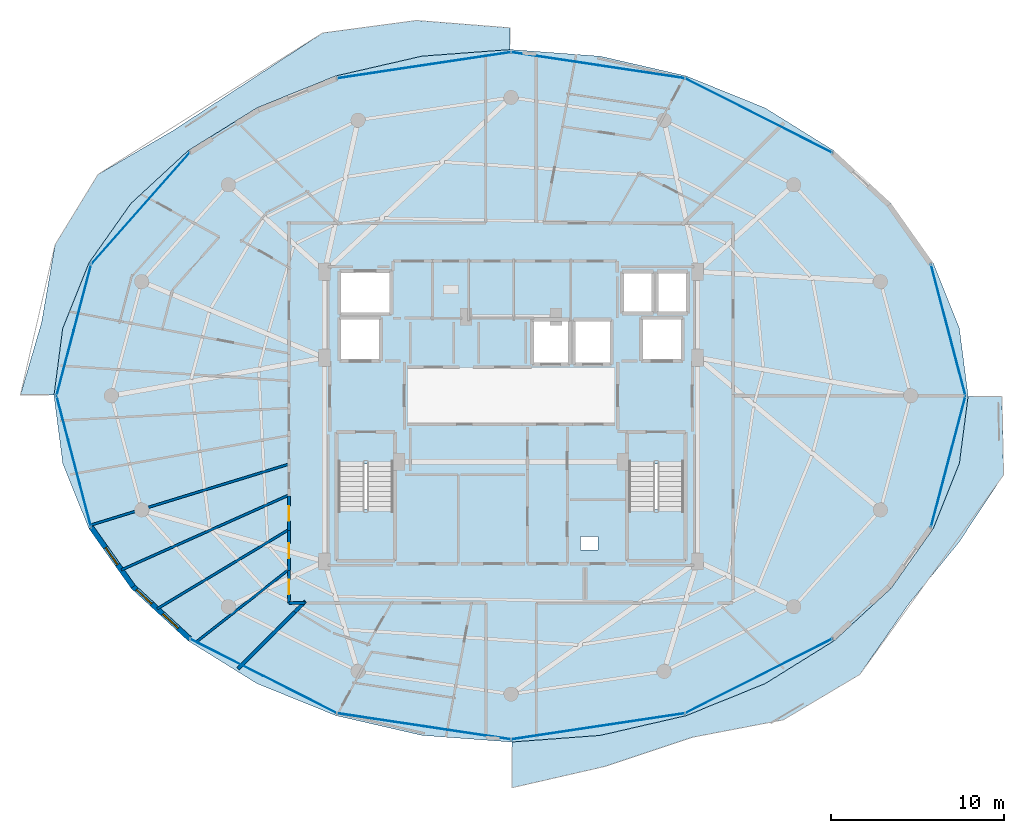
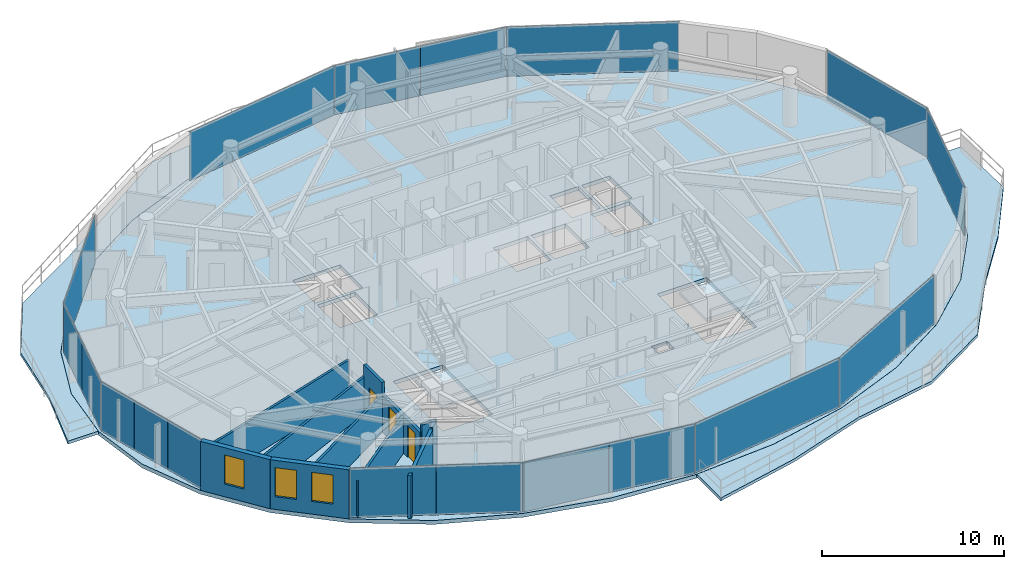
# One storey, part 20 of 29: 18 plates, 12 walls, 5 slabs, 3 doors, 3 windows, 6 openings, 6 elements without a shape of their own.
"""IFC4 building model written with IfcOpenShell, lengths in metres."""

from ifc_helpers import new_model, si_unit, direction, frame, frame_2d, origin, origin_2d, place, context, subcontext, project, spatial, polyline, rectangle, outline, extrude, material, layer, layer_set, type_object, element, fill, aggregate, save


model = new_model("IFC4")

# Units and contexts
model_context = context("Model", 3, precision=1e-05, world=origin(), true_north=direction((0.0, 1.0)))
body_context = subcontext(model_context, "Body", "Model", "MODEL_VIEW")
ifc_project = project(units=[si_unit("LENGTHUNIT", "METRE"), si_unit("AREAUNIT", "SQUARE_METRE"), si_unit("VOLUMEUNIT", "CUBIC_METRE"), si_unit("PLANEANGLEUNIT", "RADIAN"), si_unit("MASSUNIT", "GRAM", prefix="KILO")], contexts=[model_context])

# Site, building, storey
site_placement = place(None, origin())
site = spatial("IfcSite", under=ifc_project, at=site_placement, CompositionType="ELEMENT")
building_placement = place(site_placement, origin())
building = spatial("IfcBuilding", under=site, at=building_placement, Name="Vorneva Point Tower", CompositionType="ELEMENT")
storey_placement = place(building_placement, frame((0.0, 0.0, 273.300048828125)))
storey = spatial("IfcBuildingStorey", under=building, at=storey_placement, Name="L74", CompositionType="ELEMENT", Elevation=273.300048828125)

# Curtain wall, plates
ifc_material_1 = material(Name="Pale anodised aluminium", Category="aluminium")
curtain_wall_type = type_object("IfcCurtainWallType", Name="CW-RES-SYS", PredefinedType="NOTDEFINED", material=ifc_material_1)
curtain_wall_1_placement = place(storey_placement, origin())
curtain_wall_1 = element("IfcCurtainWall", 1, at=curtain_wall_1_placement, inside=storey, type_object=curtain_wall_type, Name="L74 Unitised Curtain Wall CW-L74-R01", PredefinedType="NOTDEFINED")
ifc_material_2 = material(Name="Double low-e laminated glass IGU", Category="glass")
ifc_layer_1 = layer(ifc_material_2, 0.035888671875)
ifc_layer_set_1 = layer_set([ifc_layer_1], Name="Double low-e laminated glass IGU")
plate_type = type_object("IfcPlateType", Name="CW-PNL-VIS", PredefinedType="CURTAIN_PANEL", material=ifc_layer_set_1)
plate_1_placement = place(storey_placement, frame((63.202880859375, 22.20947265625, -0.02001953125), z_axis=(0.0, 0.0, 1.0), x_axis=(0.254416284022, 0.967094801157, 0.0)))
plate_1 = element("IfcPlate", 2, at=plate_1_placement, type_object=plate_type, Name="CW-L74-R01 Glazed Panel 01", PredefinedType="CURTAIN_PANEL", context=body_context, shape_type="SweptSolid", body=[
    extrude(rectangle(XDim=7.7890625, YDim=0.035888671875, at=origin_2d()), origin(), (0.0, 0.0, 1.0), 3.330078125),
])
plate_2_placement = place(storey_placement, frame((63.202880859375, 29.79052734375, -0.02001953125), z_axis=(0.0, 0.0, 1.0), x_axis=(-0.254416284022, 0.967094801157, 0.0)))
plate_2 = element("IfcPlate", 3, at=plate_2_placement, type_object=plate_type, Name="CW-L74-R01 Glazed Panel 02", PredefinedType="CURTAIN_PANEL", context=body_context, shape_type="SweptSolid", body=[
    extrude(rectangle(XDim=7.7890625, YDim=0.035888671875, at=origin_2d()), origin(), (0.0, 0.0, 1.0), 3.330078125),
])
aggregate(curtain_wall_1, [plate_1, plate_2])

curtain_wall_2_placement = place(storey_placement, origin())
curtain_wall_2 = element("IfcCurtainWall", 4, at=curtain_wall_2_placement, inside=storey, type_object=curtain_wall_type, Name="L74 Unitised Curtain Wall CW-L74-R02", PredefinedType="NOTDEFINED")
plate_3_placement = place(storey_placement, frame((52.2763671875, 42.15478515625, -0.02001953125), z_axis=(0.0, 0.0, 1.0), x_axis=(-0.892554339087, 0.450939853836, 0.0)))
plate_3 = element("IfcPlate", 5, at=plate_3_placement, type_object=plate_type, Name="CW-L74-R02 Glazed Panel 01", PredefinedType="CURTAIN_PANEL", context=body_context, shape_type="SweptSolid", body=[
    extrude(rectangle(XDim=9.47314453125, YDim=0.035888671875, at=origin_2d()), origin(), (0.0, 0.0, 1.0), 3.330078125),
])
plate_4_placement = place(storey_placement, frame((45.519775390625, 44.67919921875, -0.02001953125), z_axis=(0.0, 0.0, 1.0), x_axis=(-0.988878712919, 0.148724211669, 0.0)))
plate_4 = element("IfcPlate", 6, at=plate_4_placement, type_object=plate_type, Name="CW-L74-R02 Glazed Panel 02A", PredefinedType="CURTAIN_PANEL", context=body_context, shape_type="SweptSolid", body=[
    extrude(rectangle(XDim=5.01953125, YDim=0.035888671875, at=origin_2d()), origin(), (0.0, 0.0, 1.0), 3.330078125),
])
plate_5_placement = place(storey_placement, frame((40.506591796875, 45.43310546875, -0.02001953125), z_axis=(0.0, 0.0, 1.0), x_axis=(-0.988878712919, 0.148724211669, 0.0)))
plate_5 = element("IfcPlate", 7, at=plate_5_placement, type_object=plate_type, Name="CW-L74-R02 Glazed Panel 02B", PredefinedType="CURTAIN_PANEL", context=body_context, shape_type="SweptSolid", body=[
    extrude(rectangle(XDim=5.01953125, YDim=0.035888671875, at=origin_2d()), origin(), (0.0, 0.0, 1.0), 3.330078125),
])
plate_6_placement = place(storey_placement, frame((32.98681640625, 45.055908203125, -0.02001953125), z_axis=(0.0, 0.0, 1.0), x_axis=(-0.988878712919, -0.148724211669, 0.0)))
plate_6 = element("IfcPlate", 8, at=plate_6_placement, type_object=plate_type, Name="CW-L74-R02 Glazed Panel 03", PredefinedType="CURTAIN_PANEL", context=body_context, shape_type="SweptSolid", body=[
    extrude(rectangle(XDim=10.089111328125, YDim=0.035888671875, at=origin_2d()), origin(), (0.0, 0.0, 1.0), 3.330078125),
])
aggregate(curtain_wall_2, [plate_3, plate_4, plate_5, plate_6])

curtain_wall_3_placement = place(storey_placement, origin())
curtain_wall_3 = element("IfcCurtainWall", 9, at=curtain_wall_3_placement, inside=storey, type_object=curtain_wall_type, Name="L74 Unitised Curtain Wall CW-L74-R03", PredefinedType="NOTDEFINED")
plate_7_placement = place(storey_placement, frame((16.634033203125, 36.79443359375, -0.02001953125), z_axis=(0.0, 0.0, 1.0), x_axis=(-0.662188570806, -0.749337238294, 0.0)))
plate_7 = element("IfcPlate", 10, at=plate_7_placement, type_object=plate_type, Name="CW-L74-R03 Glazed Panel 01", PredefinedType="CURTAIN_PANEL", context=body_context, shape_type="SweptSolid", body=[
    extrude(rectangle(XDim=8.526611328125, YDim=0.035888671875, at=origin_2d()), origin(), (0.0, 0.0, 1.0), 3.330078125),
])
plate_8_placement = place(storey_placement, frame((13.2958984375, 31.685791015625, -0.02001953125), z_axis=(0.0, 0.0, 1.0), x_axis=(-0.254416284022, -0.967094801157, 0.0)))
plate_8 = element("IfcPlate", 11, at=plate_8_placement, type_object=plate_type, Name="CW-L74-R03 Glazed Panel 02A", PredefinedType="CURTAIN_PANEL", context=body_context, shape_type="SweptSolid", body=[
    extrude(rectangle(XDim=3.869384765625, YDim=0.035888671875, at=origin_2d()), origin(), (0.0, 0.0, 1.0), 3.330078125),
])
plate_9_placement = place(storey_placement, frame((12.298583984375, 27.895263671875, -0.02001953125), z_axis=(0.0, 0.0, 1.0), x_axis=(-0.254416284022, -0.967094801157, 0.0)))
plate_9 = element("IfcPlate", 12, at=plate_9_placement, type_object=plate_type, Name="CW-L74-R03 Glazed Panel 02B", PredefinedType="CURTAIN_PANEL", context=body_context, shape_type="SweptSolid", body=[
    extrude(rectangle(XDim=3.869384765625, YDim=0.035888671875, at=origin_2d()), origin(), (0.0, 0.0, 1.0), 3.330078125),
])
plate_10_placement = place(storey_placement, frame((12.13232421875, 24.736572265625, -0.02001953125), z_axis=(0.0, 0.0, 1.0), x_axis=(0.254416284022, -0.967094801157, 0.0)))
plate_10 = element("IfcPlate", 13, at=plate_10_placement, type_object=plate_type, Name="CW-L74-R03 Glazed Panel 03A", PredefinedType="CURTAIN_PANEL", context=body_context, shape_type="SweptSolid", body=[
    extrude(rectangle(XDim=2.56298828125, YDim=0.035888671875, at=origin_2d()), origin(), (0.0, 0.0, 1.0), 3.330078125),
])
plate_11_placement = place(storey_placement, frame((12.797119140625, 22.20947265625, -0.02001953125), z_axis=(0.0, 0.0, 1.0), x_axis=(0.254416284022, -0.967094801157, 0.0)))
plate_11 = element("IfcPlate", 14, at=plate_11_placement, type_object=plate_type, Name="CW-L74-R03 Glazed Panel 03B", PredefinedType="CURTAIN_PANEL", context=body_context, shape_type="SweptSolid", body=[
    extrude(rectangle(XDim=2.56298828125, YDim=0.035888671875, at=origin_2d()), origin(), (0.0, 0.0, 1.0), 3.330078125),
])
plate_12_placement = place(storey_placement, frame((13.4619140625, 19.6826171875, -0.02001953125), z_axis=(0.0, 0.0, 1.0), x_axis=(0.254416284022, -0.967094801157, 0.0)))
plate_12 = element("IfcPlate", 15, at=plate_12_placement, type_object=plate_type, Name="CW-L74-R03 Glazed Panel 03C", PredefinedType="CURTAIN_PANEL", context=body_context, shape_type="SweptSolid", body=[
    extrude(rectangle(XDim=2.56298828125, YDim=0.035888671875, at=origin_2d()), origin(), (0.0, 0.0, 1.0), 3.330078125),
])
aggregate(curtain_wall_3, [plate_7, plate_8, plate_9, plate_10, plate_11, plate_12])

curtain_wall_4_placement = place(storey_placement, origin())
curtain_wall_4 = element("IfcCurtainWall", 16, at=curtain_wall_4_placement, inside=storey, type_object=curtain_wall_type, Name="L74 Unitised Curtain Wall CW-L74-R04", PredefinedType="NOTDEFINED")
plate_13_placement = place(storey_placement, frame((21.598876953125, 10.918701171875, -0.02001953125), z_axis=(0.0, 0.0, 1.0), x_axis=(0.892554339087, -0.450939853836, 0.0)))
plate_13 = element("IfcPlate", 17, at=plate_13_placement, type_object=plate_type, Name="CW-L74-R04 Glazed Panel 01A", PredefinedType="CURTAIN_PANEL", context=body_context, shape_type="SweptSolid", body=[
    extrude(rectangle(XDim=4.71142578125, YDim=0.035888671875, at=origin_2d()), origin(), (0.0, 0.0, 1.0), 3.330078125),
])
plate_14_placement = place(storey_placement, frame((25.8486328125, 8.771484375, -0.02001953125), z_axis=(0.0, 0.0, 1.0), x_axis=(0.892554339087, -0.450939853836, 0.0)))
plate_14 = element("IfcPlate", 18, at=plate_14_placement, type_object=plate_type, Name="CW-L74-R04 Glazed Panel 01B", PredefinedType="CURTAIN_PANEL", context=body_context, shape_type="SweptSolid", body=[
    extrude(rectangle(XDim=4.71142578125, YDim=0.035888671875, at=origin_2d()), origin(), (0.0, 0.0, 1.0), 3.330078125),
])
plate_15_placement = place(storey_placement, frame((30.480224609375, 7.32080078125, -0.02001953125), z_axis=(0.0, 0.0, 1.0), x_axis=(0.988878712919, -0.148724211669, 0.0)))
plate_15 = element("IfcPlate", 19, at=plate_15_placement, type_object=plate_type, Name="CW-L74-R04 Glazed Panel 02A", PredefinedType="CURTAIN_PANEL", context=body_context, shape_type="SweptSolid", body=[
    extrude(rectangle(XDim=5.01953125, YDim=0.035888671875, at=origin_2d()), origin(), (0.0, 0.0, 1.0), 3.330078125),
])
plate_16_placement = place(storey_placement, frame((35.493408203125, 6.56689453125, -0.02001953125), z_axis=(0.0, 0.0, 1.0), x_axis=(0.988878712919, -0.148724211669, 0.0)))
plate_16 = element("IfcPlate", 20, at=plate_16_placement, type_object=plate_type, Name="CW-L74-R04 Glazed Panel 02B", PredefinedType="CURTAIN_PANEL", context=body_context, shape_type="SweptSolid", body=[
    extrude(rectangle(XDim=5.01953125, YDim=0.035888671875, at=origin_2d()), origin(), (0.0, 0.0, 1.0), 3.330078125),
])
plate_17_placement = place(storey_placement, frame((43.01318359375, 6.944091796875, -0.02001953125), z_axis=(0.0, 0.0, 1.0), x_axis=(0.988878712919, 0.148724211669, 0.0)))
plate_17 = element("IfcPlate", 21, at=plate_17_placement, type_object=plate_type, Name="CW-L74-R04 Glazed Panel 03", PredefinedType="CURTAIN_PANEL", context=body_context, shape_type="SweptSolid", body=[
    extrude(rectangle(XDim=10.089111328125, YDim=0.035888671875, at=origin_2d()), origin(), (0.0, 0.0, 1.0), 3.330078125),
])
plate_18_placement = place(storey_placement, frame((52.2763671875, 9.84521484375, -0.02001953125), z_axis=(0.0, 0.0, 1.0), x_axis=(0.892554339087, 0.450939853836, 0.0)))
plate_18 = element("IfcPlate", 22, at=plate_18_placement, type_object=plate_type, Name="CW-L74-R04 Glazed Panel 04", PredefinedType="CURTAIN_PANEL", context=body_context, shape_type="SweptSolid", body=[
    extrude(rectangle(XDim=9.47314453125, YDim=0.035888671875, at=origin_2d()), origin(), (0.0, 0.0, 1.0), 3.330078125),
])
aggregate(curtain_wall_4, [plate_13, plate_14, plate_15, plate_16, plate_17, plate_18])

# Slabs
ifc_material_3 = material(Name="Concrete B50 (C40/50)", Category="concrete")
ifc_layer_2 = layer(ifc_material_3, 0.199951171875)
ifc_layer_set_2 = layer_set([ifc_layer_2], Name="Concrete B50 (C40/50)")
slab_type_1 = type_object("IfcSlabType", Name="SLB-BAL-200", PredefinedType="FLOOR", material=ifc_layer_set_2)
slab_1_placement = place(storey_placement, frame((0.0, 0.0, -0.199951171875)))
element("IfcSlab", 23, at=slab_1_placement, inside=storey, type_object=slab_type_1, Name="L74 Cantilevered Wave Balcony NW", PredefinedType="FLOOR", context=body_context, shape_type="SweptSolid", body=[
    extrude(outline(polyline([(9.714599609375, 26.050048828125), (11.652587890625, 26.050048828125), (12.15234375, 29.89453125), (12.15234375, 29.894775390625), (12.152587890625, 29.895263671875), (12.152587890625, 29.8955078125), (13.652099609375, 33.639892578125), (13.65234375, 33.640380859375), (13.652587890625, 33.640625), (16.08740234375, 37.091552734375), (16.087890625, 37.091796875), (16.088134765625, 37.092041015625), (19.364990234375, 40.11669921875), (19.365234375, 40.1171875), (19.365478515625, 40.1171875), (23.358642578125, 42.599609375), (23.35888671875, 42.599609375), (23.359130859375, 42.599853515625), (27.914794921875, 44.4443359375), (27.9150390625, 44.4443359375), (27.915283203125, 44.444580078125), (32.8583984375, 45.580322265625), (32.85888671875, 45.58056640625), (32.859130859375, 45.58056640625), (37.949951171875, 45.960205078125), (37.949951171875, 47.2138671875), (32.548583984375, 47.6396484375), (27.138916015625, 46.918212890625), (22.65576171875, 43.989013671875), (18.4892578125, 41.273681640625), (14.19189453125, 38.76416015625), (11.709716796875, 34.702392578125), (10.934326171875, 30.21484375), (9.714599609375, 26.050048828125)])), origin(), (0.0, 0.0, 1.0), 0.199951171875),
])
slab_2_placement = place(storey_placement, frame((0.0, 0.0, -0.199951171875)))
element("IfcSlab", 24, at=slab_2_placement, inside=storey, type_object=slab_type_1, Name="L74 Cantilevered Wave Balcony SE", PredefinedType="FLOOR", context=body_context, shape_type="SweptSolid", body=[
    extrude(outline(polyline([(66.393798828125, 21.436279296875), (66.301025390625, 25.949951171875), (64.347412109375, 25.949951171875), (63.84765625, 22.10546875), (63.84765625, 22.105224609375), (63.847412109375, 22.104736328125), (63.847412109375, 22.1044921875), (62.347900390625, 18.360107421875), (62.34765625, 18.359619140625), (62.347412109375, 18.359375), (59.91259765625, 14.908447265625), (59.912109375, 14.908203125), (59.911865234375, 14.907958984375), (56.635009765625, 11.88330078125), (56.634765625, 11.8828125), (56.634521484375, 11.8828125), (52.641357421875, 9.400390625), (52.64111328125, 9.400390625), (52.640869140625, 9.400146484375), (48.085205078125, 7.5556640625), (48.0849609375, 7.5556640625), (48.084716796875, 7.555419921875), (43.1416015625, 6.419677734375), (43.14111328125, 6.41943359375), (43.140869140625, 6.41943359375), (38.050048828125, 6.039794921875), (38.050048828125, 3.401611328125), (43.410888671875, 4.63037109375), (48.473876953125, 6.31591796875), (53.695556640625, 7.31689453125), (58.108642578125, 9.937255859375), (60.93505859375, 14.005859375), (63.820068359375, 17.5546875), (66.393798828125, 21.436279296875)])), origin(), (0.0, 0.0, 1.0), 0.199951171875),
])

# Stair, slab
stair_type = type_object("IfcStairType", Name="ST-DOG-1500", PredefinedType="HALF_TURN_STAIR", material=ifc_material_3)
stair_1_placement = place(storey_placement, origin())
stair_1 = element("IfcStair", 25, at=stair_1_placement, inside=storey, type_object=stair_type, Name="L74 ST1", PredefinedType="HALF_TURN_STAIR")
ifc_layer_3 = layer(ifc_material_3, 0.199951171875)
ifc_layer_set_3 = layer_set([ifc_layer_3], Name="Concrete B50 (C40/50)")
slab_type_2 = type_object("IfcSlabType", Name="SLB-LND-200", PredefinedType="LANDING", material=ifc_layer_set_3)
slab_3_placement = place(storey_placement, frame((0.0, 0.0, 1.574951171875)))
slab_3 = element("IfcSlab", 26, at=slab_3_placement, type_object=slab_type_2, Name="ST1 landing 1", PredefinedType="LANDING", context=body_context, shape_type="SweptSolid", body=[
    extrude(outline(polyline([(27.929931640625, 16.47998046875), (31.320068359375, 16.47998046875), (31.320068359375, 19.43994140625), (27.929931640625, 19.43994140625), (27.929931640625, 16.47998046875)])), origin(), (0.0, 0.0, 1.0), 0.199951171875),
])
aggregate(stair_1, [slab_3])

stair_2_placement = place(storey_placement, origin())
stair_2 = element("IfcStair", 27, at=stair_2_placement, inside=storey, type_object=stair_type, Name="L74 ST2", PredefinedType="HALF_TURN_STAIR")
slab_4_placement = place(storey_placement, frame((0.0, 0.0, 1.574951171875)))
slab_4 = element("IfcSlab", 28, at=slab_4_placement, type_object=slab_type_2, Name="ST2 landing 1", PredefinedType="LANDING", context=body_context, shape_type="SweptSolid", body=[
    extrude(outline(polyline([(44.679931640625, 16.47998046875), (48.070068359375, 16.47998046875), (48.070068359375, 19.43994140625), (44.679931640625, 19.43994140625), (44.679931640625, 16.47998046875)])), origin(), (0.0, 0.0, 1.0), 0.199951171875),
])
aggregate(stair_2, [slab_4])

# Slab
ifc_layer_4 = layer(ifc_material_3, 0.260009765625)
ifc_layer_set_4 = layer_set([ifc_layer_4], Name="Concrete B50 (C40/50)")
slab_type_3 = type_object("IfcSlabType", Name="SLB-TYP-260", PredefinedType="FLOOR", material=ifc_layer_set_4)
slab_5_placement = place(storey_placement, frame((0.0, 0.0, -0.260009765625)))
element("IfcSlab", 29, at=slab_5_placement, inside=storey, type_object=slab_type_3, Name="L74 Structural Floor Plate", PredefinedType="FLOOR", context=body_context, shape_type="SweptSolid", body=[
    extrude(outline(polyline([(64.35009765625, 26.0), (63.84375, 29.89404296875), (62.34423828125, 33.638427734375), (59.9091796875, 37.089111328125), (56.63232421875, 40.114013671875), (52.639404296875, 42.59619140625), (48.083740234375, 44.440673828125), (43.140625, 45.576416015625), (38.0, 45.9599609375), (32.859375, 45.576416015625), (27.916259765625, 44.440673828125), (23.360595703125, 42.59619140625), (19.36767578125, 40.114013671875), (16.0908203125, 37.089111328125), (13.65576171875, 33.638427734375), (12.15625, 29.89404296875), (11.64990234375, 26.0), (12.15625, 22.10595703125), (13.65576171875, 18.361572265625), (16.0908203125, 14.910888671875), (19.36767578125, 11.885986328125), (23.360595703125, 9.40380859375), (27.916259765625, 7.559326171875), (32.859375, 6.423583984375), (38.0, 6.0400390625), (43.140625, 6.423583984375), (48.083740234375, 7.559326171875), (52.639404296875, 9.40380859375), (56.63232421875, 11.885986328125), (59.9091796875, 14.910888671875), (62.34423828125, 18.361572265625), (63.84375, 22.10595703125), (64.35009765625, 26.0)]), holes=[polyline([(39.199951171875, 27.800048828125), (41.39990234375, 27.800048828125), (41.39990234375, 30.39990234375), (39.199951171875, 30.39990234375), (39.199951171875, 27.800048828125)]), polyline([(41.60009765625, 27.800048828125), (43.800048828125, 27.800048828125), (43.800048828125, 30.39990234375), (41.60009765625, 30.39990234375), (41.60009765625, 27.800048828125)]), polyline([(44.39990234375, 30.739990234375), (46.199951171875, 30.739990234375), (46.199951171875, 33.159912109375), (44.39990234375, 33.159912109375), (44.39990234375, 30.739990234375)]), polyline([(46.39990234375, 30.739990234375), (48.199951171875, 30.739990234375), (48.199951171875, 33.159912109375), (46.39990234375, 33.159912109375), (46.39990234375, 30.739990234375)]), polyline([(28.10009765625, 28.0), (30.5, 28.0), (30.5, 30.5), (28.10009765625, 30.5), (28.10009765625, 28.0)]), polyline([(45.5, 28.0), (47.89990234375, 28.0), (47.89990234375, 30.5), (45.5, 30.5), (45.5, 28.0)]), polyline([(28.10009765625, 30.699951171875), (31.10009765625, 30.699951171875), (31.10009765625, 33.199951171875), (28.10009765625, 33.199951171875), (28.10009765625, 30.699951171875)]), polyline([(28.050048828125, 16.60009765625), (31.199951171875, 16.60009765625), (31.199951171875, 22.080078125), (28.050048828125, 22.080078125), (28.050048828125, 16.60009765625)]), polyline([(44.800048828125, 16.60009765625), (47.949951171875, 16.60009765625), (47.949951171875, 22.080078125), (44.800048828125, 22.080078125), (44.800048828125, 16.60009765625)]), polyline([(42.0, 17.10009765625), (43.0, 17.10009765625), (43.0, 17.89990234375), (42.0, 17.89990234375), (42.0, 17.10009765625)])]), origin(), (0.0, 0.0, 1.0), 0.260009765625),
])

# Wall, opening, window
ifc_material_4 = material(Name="Precast concrete B50 (C40/50)", Category="concrete")
ifc_layer_5 = layer(ifc_material_4, 0.300048828125)
ifc_layer_set_5 = layer_set([ifc_layer_5], Name="Precast concrete B50 (C40/50)")
wall_type_1 = type_object("IfcWallType", Name="WL-EXT-300", PredefinedType="STANDARD", material=ifc_layer_set_5)
wall_1_placement = place(storey_placement, frame((13.79443359375, 18.4189453125, 0.0), z_axis=(0.0, 0.0, 1.0), x_axis=(0.577261247247, -0.816559521668, 0.0)))
wall_1 = element("IfcWall", 30, at=wall_1_placement, inside=storey, type_object=wall_type_1, Name="L74 Pale-Metal Facade Spandrel Wall 10.1", PredefinedType="STANDARD", context=body_context, shape_type="SweptSolid", body=[
    extrude(rectangle(XDim=4.194091796875, YDim=0.300048828125, at=frame_2d((2.09716796875, 0.0))), origin(), (0.0, 0.0, 1.0), 3.2900390625),
])
opening_1_placement = place(wall_1_placement, frame((1.43798828125, 0.0, 0.85009765625)))
opening_1 = element("IfcOpeningElement", 31, at=opening_1_placement, cuts=wall_1, Name="Opening W-04", PredefinedType="OPENING", context=body_context, shape_type="SweptSolid", body=[
    extrude(rectangle(XDim=1.199951171875, YDim=1.949951171875, at=frame_2d((0.60009765625, 0.97509765625))), frame((0.0, 0.1650390625, 0.0), z_axis=(0.0, -1.0, 0.0), x_axis=(1.0, 0.0, 0.0)), (0.0, 0.0, 1.0), 0.329833984375),
])
window_type = type_object("IfcWindowType", Name="WN-RES-1200", PartitioningType="SINGLE_PANEL", PredefinedType="WINDOW", material=ifc_material_2)
window_1_placement = place(opening_1_placement, origin())
window_1 = element("IfcWindow", 32, at=window_1_placement, inside=storey, type_object=window_type, Name="L74 Dwelling Vision Window 01", OverallHeight=1.949951171875, OverallWidth=1.199951171875, PartitioningType="SINGLE_PANEL", PredefinedType="WINDOW", context=body_context, shape_type="SweptSolid", body=[
    extrude(rectangle(XDim=1.199951171875, YDim=1.949951171875, at=frame_2d((0.60009765625, 0.97509765625))), frame((0.0, 0.030029296875, 0.0), z_axis=(0.0, -1.0, 0.0), x_axis=(1.0, 0.0, 0.0)), (0.0, 0.0, 1.0), 0.06005859375),
])
fill(opening_1, window_1)

# Wall, openings, windows
wall_2_placement = place(storey_placement, frame((16.215576171875, 14.994140625, 0.0), z_axis=(0.0, 0.0, 1.0), x_axis=(0.735445373611, -0.677584018727, 0.0)))
wall_2 = element("IfcWall", 33, at=wall_2_placement, inside=storey, type_object=wall_type_1, Name="L74 Pale-Metal Facade Spandrel Wall 10.2", PredefinedType="STANDARD", context=body_context, shape_type="SweptSolid", body=[
    extrude(rectangle(XDim=4.430419921875, YDim=0.300048828125, at=frame_2d((2.21533203125, 0.0))), origin(), (0.0, 0.0, 1.0), 3.2900390625),
])
opening_2_placement = place(wall_2_placement, frame((0.258056640625, 0.0, 0.85009765625)))
opening_2 = element("IfcOpeningElement", 34, at=opening_2_placement, cuts=wall_2, Name="Opening W-04", PredefinedType="OPENING", context=body_context, shape_type="SweptSolid", body=[
    extrude(rectangle(XDim=1.199951171875, YDim=1.949951171875, at=frame_2d((0.60009765625, 0.97509765625))), frame((0.0, 0.1650390625, 0.0), z_axis=(0.0, -1.0, 0.0), x_axis=(1.0, 0.0, 0.0)), (0.0, 0.0, 1.0), 0.329833984375),
])
opening_3_placement = place(wall_2_placement, frame((2.3232421875, 0.0, 0.85009765625)))
opening_3 = element("IfcOpeningElement", 35, at=opening_3_placement, cuts=wall_2, Name="Opening W-04", PredefinedType="OPENING", context=body_context, shape_type="SweptSolid", body=[
    extrude(rectangle(XDim=1.199951171875, YDim=1.949951171875, at=frame_2d((0.60009765625, 0.97509765625))), frame((0.0, 0.1650390625, 0.0), z_axis=(0.0, -1.0, 0.0), x_axis=(1.0, 0.0, 0.0)), (0.0, 0.0, 1.0), 0.329833984375),
])
window_2_placement = place(opening_2_placement, origin())
window_2 = element("IfcWindow", 36, at=window_2_placement, inside=storey, type_object=window_type, Name="L74 Dwelling Vision Window 02", OverallHeight=1.949951171875, OverallWidth=1.199951171875, PartitioningType="SINGLE_PANEL", PredefinedType="WINDOW", context=body_context, shape_type="SweptSolid", body=[
    extrude(rectangle(XDim=1.199951171875, YDim=1.949951171875, at=frame_2d((0.60009765625, 0.97509765625))), frame((0.0, 0.030029296875, 0.0), z_axis=(0.0, -1.0, 0.0), x_axis=(1.0, 0.0, 0.0)), (0.0, 0.0, 1.0), 0.06005859375),
])
fill(opening_2, window_2)
window_3_placement = place(opening_3_placement, origin())
window_3 = element("IfcWindow", 37, at=window_3_placement, inside=storey, type_object=window_type, Name="L74 Dwelling Vision Window 03", OverallHeight=1.949951171875, OverallWidth=1.199951171875, PartitioningType="SINGLE_PANEL", PredefinedType="WINDOW", context=body_context, shape_type="SweptSolid", body=[
    extrude(rectangle(XDim=1.199951171875, YDim=1.949951171875, at=frame_2d((0.60009765625, 0.97509765625))), frame((0.0, 0.030029296875, 0.0), z_axis=(0.0, -1.0, 0.0), x_axis=(1.0, 0.0, 0.0)), (0.0, 0.0, 1.0), 0.06005859375),
])
fill(opening_3, window_3)

# Walls
ifc_material_5 = material(Name="Fire-rated acoustic gypsum stud partition", Category="gypsum")
ifc_layer_6 = layer(ifc_material_5, 0.139892578125)
ifc_layer_set_6 = layer_set([ifc_layer_6], Name="Fire-rated acoustic gypsum stud partition")
wall_type_2 = type_object("IfcWallType", Name="WL-PART-140", PredefinedType="PARTITIONING", material=ifc_layer_set_6)
wall_3_placement = place(storey_placement, frame((13.7470703125, 18.5390625, 0.0), z_axis=(0.0, 0.0, 1.0), x_axis=(0.955802794564, 0.294008533725, 0.0)))
element("IfcWall", 38, at=wall_3_placement, inside=storey, type_object=wall_type_2, Name="L74 Interior Partition 091", PredefinedType="PARTITIONING", context=body_context, shape_type="SweptSolid", body=[
    extrude(rectangle(XDim=11.982421875, YDim=0.139892578125, at=frame_2d((5.9912109375, 0.0))), origin(), (0.0, 0.0, 1.0), 2.48193359375),
])
wall_4_placement = place(storey_placement, frame((15.532958984375, 15.9619140625, 0.0), z_axis=(0.0, 0.0, 1.0), x_axis=(0.913015836792, 0.407924112756, 0.0)))
element("IfcWall", 39, at=wall_4_placement, inside=storey, type_object=wall_type_2, Name="L74 Interior Partition 092", PredefinedType="PARTITIONING", context=body_context, shape_type="SweptSolid", body=[
    extrude(rectangle(XDim=10.587890625, YDim=0.139892578125, at=frame_2d((5.2939453125, 0.0))), origin(), (0.0, 0.0, 1.0), 2.48193359375),
])
wall_5_placement = place(storey_placement, frame((17.60205078125, 13.719970703125, 0.0), z_axis=(0.0, 0.0, 1.0), x_axis=(0.856734134601, 0.515758298633, 0.0)))
element("IfcWall", 40, at=wall_5_placement, inside=storey, type_object=wall_type_2, Name="L74 Interior Partition 093", PredefinedType="PARTITIONING", context=body_context, shape_type="SweptSolid", body=[
    extrude(rectangle(XDim=8.868408203125, YDim=0.139892578125, at=frame_2d((4.43408203125, 0.0))), origin(), (0.0, 0.0, 1.0), 2.48193359375),
])
wall_6_placement = place(storey_placement, frame((19.819091796875, 11.781982421875, 0.0), z_axis=(0.0, 0.0, 1.0), x_axis=(0.78765580417, 0.61611552014, 0.0)))
element("IfcWall", 41, at=wall_6_placement, inside=storey, type_object=wall_type_2, Name="L74 Interior Partition 094", PredefinedType="PARTITIONING", context=body_context, shape_type="SweptSolid", body=[
    extrude(rectangle(XDim=6.83154296875, YDim=0.139892578125, at=frame_2d((3.415771484375, 0.0))), origin(), (0.0, 0.0, 1.0), 2.48193359375),
])

# Wall, opening, door
ifc_material_6 = material(Name="Autoclaved aerated concrete blockwork", Category="masonry")
ifc_layer_7 = layer(ifc_material_6, 0.179931640625)
ifc_layer_set_7 = layer_set([ifc_layer_7], Name="Autoclaved aerated concrete blockwork")
wall_type_3 = type_object("IfcWallType", Name="WL-PART-180", PredefinedType="PARTITIONING", material=ifc_layer_set_7)
wall_7_placement = place(storey_placement, frame((25.199951171875, 20.215087890625, 0.0), z_axis=(0.0, 0.0, 1.0), x_axis=(0.0, -1.0, 0.0)))
wall_7 = element("IfcWall", 42, at=wall_7_placement, inside=storey, type_object=wall_type_3, Name="L74 Interior Partition 050", PredefinedType="PARTITIONING", context=body_context, shape_type="SweptSolid", body=[
    extrude(rectangle(XDim=1.990966796875, YDim=0.179931640625, at=frame_2d((0.99560546875, 0.0))), origin(), (0.0, 0.0, 1.0), 3.2900390625),
])
opening_4_placement = place(wall_7_placement, frame((0.570556640625, 0.0, 0.0)))
opening_4 = element("IfcOpeningElement", 43, at=opening_4_placement, cuts=wall_7, Name="Opening ID-02", PredefinedType="OPENING", context=body_context, shape_type="SweptSolid", body=[
    extrude(rectangle(XDim=0.85009765625, YDim=2.10009765625, at=frame_2d((0.425048828125, 1.050048828125))), frame((0.0, 0.10498046875, 0.0), z_axis=(0.0, -1.0, 0.0), x_axis=(1.0, 0.0, 0.0)), (0.0, 0.0, 1.0), 0.209716796875),
])
ifc_material_7 = material(Name="Engineered oak fire-rated door leaf", Category="wood")
door_type = type_object("IfcDoorType", Name="DR-BATH-850", OperationType="NOTDEFINED", PredefinedType="DOOR", material=ifc_material_7)
door_1_placement = place(opening_4_placement, origin())
door_1 = element("IfcDoor", 44, at=door_1_placement, inside=storey, type_object=door_type, Name="L74 Access Door L74 Circulation Corridor", OperationType="SINGLE_SWING_LEFT", OverallHeight=2.10009765625, OverallWidth=0.85009765625, PredefinedType="DOOR", context=body_context, shape_type="SweptSolid", body=[
    extrude(rectangle(XDim=0.85009765625, YDim=2.10009765625, at=frame_2d((0.425048828125, 1.050048828125))), frame((0.0, 0.02490234375, 0.0), z_axis=(0.0, -1.0, 0.0), x_axis=(1.0, 0.0, 0.0)), (0.0, 0.0, 1.0), 0.050048828125),
])
fill(opening_4, door_1)

wall_8_placement = place(storey_placement, frame((25.199951171875, 18.22412109375, 0.0), z_axis=(0.0, 0.0, 1.0), x_axis=(0.0, -1.0, 0.0)))
wall_8 = element("IfcWall", 45, at=wall_8_placement, inside=storey, type_object=wall_type_3, Name="L74 Interior Partition 051", PredefinedType="PARTITIONING", context=body_context, shape_type="SweptSolid", body=[
    extrude(rectangle(XDim=2.30908203125, YDim=0.179931640625, at=frame_2d((1.154541015625, 0.0))), origin(), (0.0, 0.0, 1.0), 2.48193359375),
])
opening_5_placement = place(wall_8_placement, frame((0.7294921875, 0.0, 0.0)))
opening_5 = element("IfcOpeningElement", 46, at=opening_5_placement, cuts=wall_8, Name="Opening ID-02", PredefinedType="OPENING", context=body_context, shape_type="SweptSolid", body=[
    extrude(rectangle(XDim=0.85009765625, YDim=2.10009765625, at=frame_2d((0.425048828125, 1.050048828125))), frame((0.0, 0.10498046875, 0.0), z_axis=(0.0, -1.0, 0.0), x_axis=(1.0, 0.0, 0.0)), (0.0, 0.0, 1.0), 0.209716796875),
])
door_2_placement = place(opening_5_placement, origin())
door_2 = element("IfcDoor", 47, at=door_2_placement, inside=storey, type_object=door_type, Name="L74 Access Door L74 Circulation Corridor", OperationType="SINGLE_SWING_RIGHT", OverallHeight=2.10009765625, OverallWidth=0.85009765625, PredefinedType="DOOR", context=body_context, shape_type="SweptSolid", body=[
    extrude(rectangle(XDim=0.85009765625, YDim=2.10009765625, at=frame_2d((0.425048828125, 1.050048828125))), frame((0.0, 0.02490234375, 0.0), z_axis=(0.0, -1.0, 0.0), x_axis=(1.0, 0.0, 0.0)), (0.0, 0.0, 1.0), 0.050048828125),
])
fill(opening_5, door_2)

wall_9_placement = place(storey_placement, frame((25.199951171875, 15.9150390625, 0.0), z_axis=(0.0, 0.0, 1.0), x_axis=(0.0, -1.0, 0.0)))
wall_9 = element("IfcWall", 48, at=wall_9_placement, inside=storey, type_object=wall_type_3, Name="L74 Interior Partition 052", PredefinedType="PARTITIONING", context=body_context, shape_type="SweptSolid", body=[
    extrude(rectangle(XDim=1.864990234375, YDim=0.179931640625, at=frame_2d((0.9326171875, 0.0))), origin(), (0.0, 0.0, 1.0), 2.48193359375),
])
opening_6_placement = place(wall_9_placement, frame((0.507568359375, 0.0, 0.0)))
opening_6 = element("IfcOpeningElement", 49, at=opening_6_placement, cuts=wall_9, Name="Opening ID-02", PredefinedType="OPENING", context=body_context, shape_type="SweptSolid", body=[
    extrude(rectangle(XDim=0.85009765625, YDim=2.10009765625, at=frame_2d((0.425048828125, 1.050048828125))), frame((0.0, 0.10498046875, 0.0), z_axis=(0.0, -1.0, 0.0), x_axis=(1.0, 0.0, 0.0)), (0.0, 0.0, 1.0), 0.209716796875),
])
door_3_placement = place(opening_6_placement, origin())
door_3 = element("IfcDoor", 50, at=door_3_placement, inside=storey, type_object=door_type, Name="L74 Access Door L74 Circulation Corridor", OperationType="SINGLE_SWING_LEFT", OverallHeight=2.10009765625, OverallWidth=0.85009765625, PredefinedType="DOOR", context=body_context, shape_type="SweptSolid", body=[
    extrude(rectangle(XDim=0.85009765625, YDim=2.10009765625, at=frame_2d((0.425048828125, 1.050048828125))), frame((0.0, 0.02490234375, 0.0), z_axis=(0.0, -1.0, 0.0), x_axis=(1.0, 0.0, 0.0)), (0.0, 0.0, 1.0), 0.050048828125),
])
fill(opening_6, door_3)

# Walls
wall_10_placement = place(storey_placement, frame((25.199951171875, 14.050048828125, 0.0), z_axis=(0.0, 0.0, 1.0), x_axis=(1.0, 0.0, 0.0)))
element("IfcWall", 51, at=wall_10_placement, inside=storey, type_object=wall_type_3, Name="L74 Interior Partition 053", PredefinedType="PARTITIONING", context=body_context, shape_type="SweptSolid", body=[
    extrude(rectangle(XDim=0.91015625, YDim=0.179931640625, at=frame_2d((0.455078125, 0.0))), origin(), (0.0, 0.0, 1.0), 2.97900390625),
])
ifc_layer_8 = layer(ifc_material_6, 0.199951171875)
ifc_layer_set_8 = layer_set([ifc_layer_8], Name="Autoclaved aerated concrete blockwork")
wall_type_4 = type_object("IfcWallType", Name="WL-PART-200", PredefinedType="PARTITIONING", material=ifc_layer_set_8)
wall_11_placement = place(storey_placement, frame((22.262939453125, 10.262939453125, 0.0), z_axis=(0.0, 0.0, 1.0), x_axis=(0.707106781187, 0.707106781187, 0.0)))
element("IfcWall", 52, at=wall_11_placement, inside=storey, type_object=wall_type_4, Name="L74 Interior Partition 095", PredefinedType="PARTITIONING", context=body_context, shape_type="SweptSolid", body=[
    extrude(rectangle(XDim=4.771484375, YDim=0.199951171875, at=frame_2d((2.3857421875, 0.0))), origin(), (0.0, 0.0, 1.0), 2.8740234375),
])
wall_12_placement = place(storey_placement, frame((25.5380859375, 13.5380859375, 0.0), z_axis=(0.0, 0.0, 1.0), x_axis=(0.707106781187, 0.707106781187, 0.0)))
element("IfcWall", 53, at=wall_12_placement, inside=storey, type_object=wall_type_4, Name="L74 Interior Partition 096", PredefinedType="PARTITIONING", context=body_context, shape_type="SweptSolid", body=[
    extrude(rectangle(XDim=0.86376953125, YDim=0.199951171875, at=frame_2d((0.431884765625, 0.0))), origin(), (0.0, 0.0, 1.0), 2.97900390625),
])

save(model, "model.ifc")
